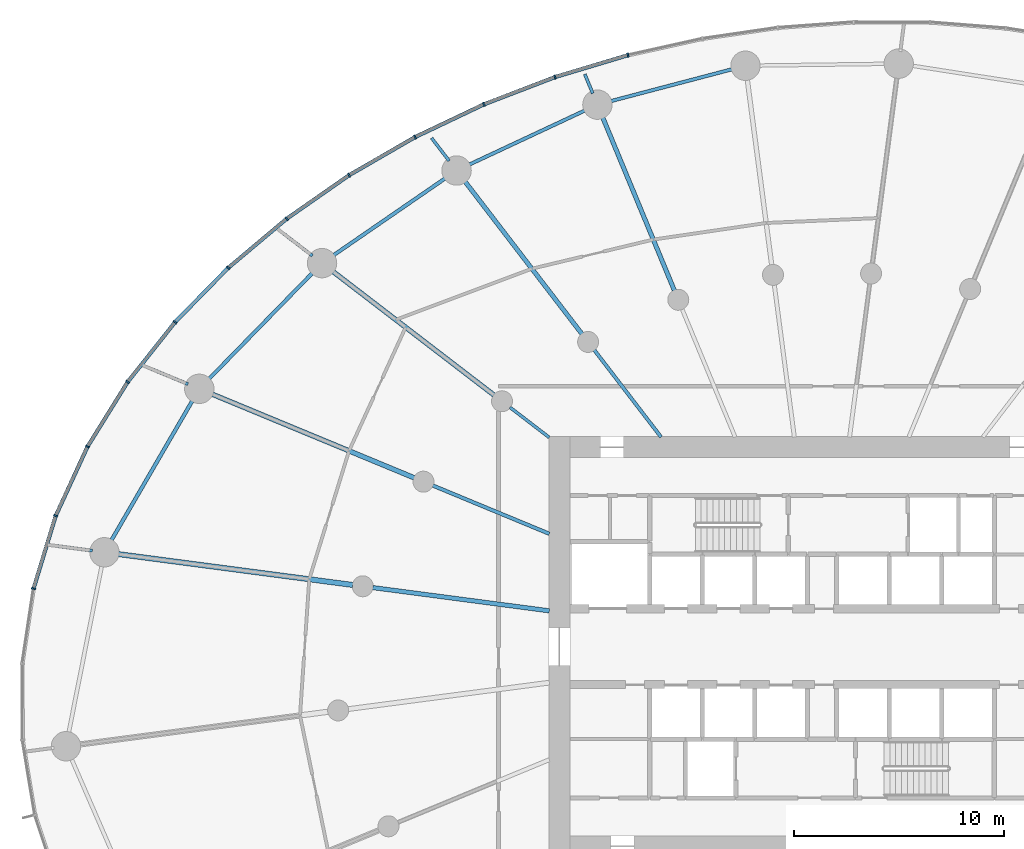
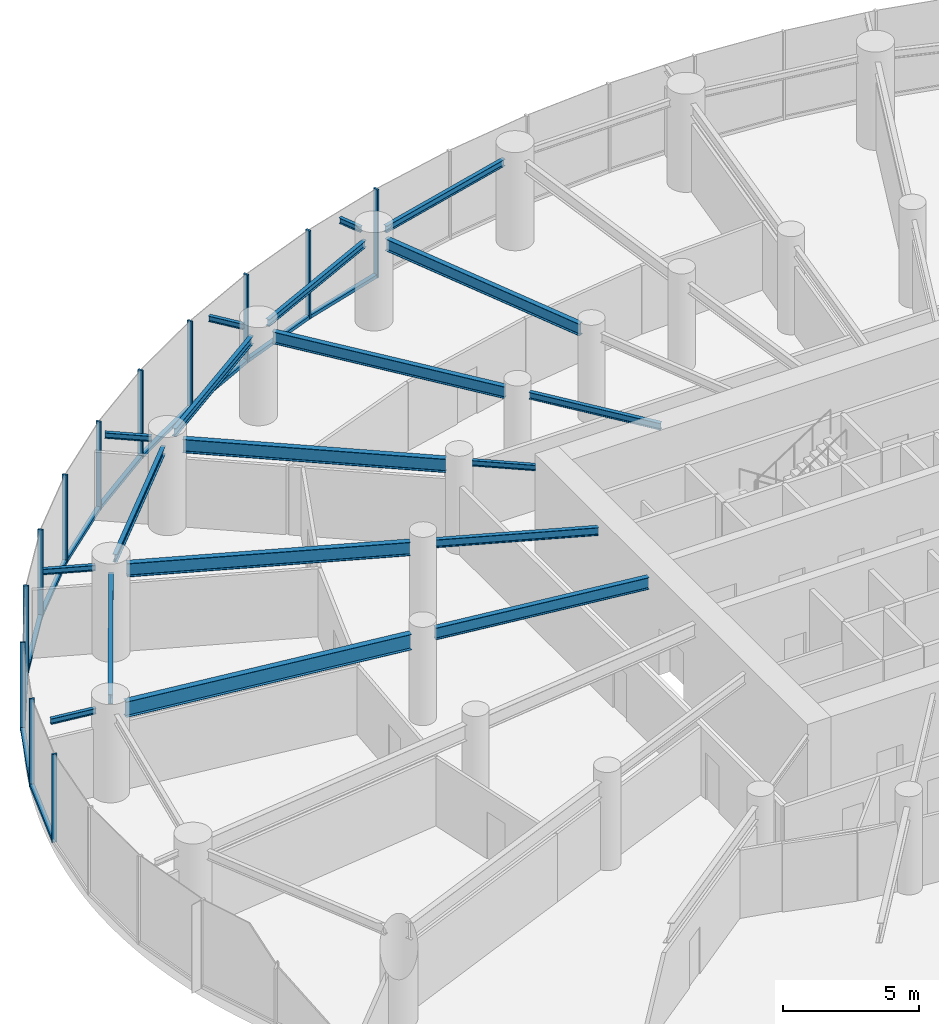
# One storey, part 6 of 19: 23 members, 19 beams, 3 elements without a shape of their own.
"""IFC4 building model written with IfcOpenShell, lengths in metres."""

import ifcopenshell
import ifcopenshell.guid

model = None  # the IFC model being written
_history = None  # IfcOwnerHistory: only IFC2X3 demands one
_inside = {}  # id of a spatial element -> (the spatial element, [elements in it])
_under = {}  # id of a project, library or spatial element -> (it, [spatial elements below it])
_declared = {}  # id of a project -> (the project, [libraries it declares])
_typed = {}  # id of a type object -> (the type object, [elements of that type])
_made_of = {}  # id of a material, layer set ... -> (it, [elements and type objects made of it])


def new_model(schema):
    """Start an empty IFC model of exactly this schema.

    Asked for "IFC4X3", IfcOpenShell would pick the latest addendum, in which some entities
    have other attributes; the version numbers below select the first issue.
    IFC2X3 requires an IfcOwnerHistory on every rooted entity: one is made here for all.
    """
    global model, _history
    if schema == "IFC4X3":
        model = ifcopenshell.file(schema_version=(4, 3, 0, 0))
    else:
        model = ifcopenshell.file(schema=schema)
    _inside.clear()
    _under.clear()
    _declared.clear()
    _typed.clear()
    _made_of.clear()
    _history = None
    if model.schema == "IFC2X3":
        org = make("IfcOrganization", Name="unknown")
        user = make(
            "IfcPersonAndOrganization",
            ThePerson=make("IfcPerson", FamilyName="unknown"),
            TheOrganization=org,
        )
        app = make(
            "IfcApplication",
            ApplicationDeveloper=org,
            Version="unknown",
            ApplicationFullName="unknown",
            ApplicationIdentifier="unknown",
        )
        _history = make(
            "IfcOwnerHistory",
            OwningUser=user,
            OwningApplication=app,
            ChangeAction="ADDED",
            CreationDate=0,
        )
    return model


def make(cls, **values):
    """One entity of the class cls with the attributes given. An attribute that is None is left unset."""
    return model.create_entity(
        cls, **{name: value for name, value in values.items() if value is not None}
    )


def rooted(cls, **values):
    """An entity with a GlobalId (a new one), such as an element, a storey or a relation."""
    return make(cls, GlobalId=ifcopenshell.guid.new(), OwnerHistory=_history, **values)


def si_unit(unit_type, name, prefix=None):
    """IfcSIUnit, for example si_unit("LENGTHUNIT", "METRE", prefix="MILLI")."""
    return make("IfcSIUnit", UnitType=unit_type, Prefix=prefix, Name=name)


def assignment(units):
    """IfcUnitAssignment: the units of a project."""
    return None if units is None else make("IfcUnitAssignment", Units=units)


def point(xyz):
    """IfcCartesianPoint."""
    return None if xyz is None else make("IfcCartesianPoint", Coordinates=xyz)


def direction(xyz):
    """IfcDirection."""
    return None if xyz is None else make("IfcDirection", DirectionRatios=xyz)


def frame(location, z_axis=None, x_axis=None):
    """IfcAxis2Placement3D, a coordinate frame: its origin and axes. An axis left out is left unset."""
    return make(
        "IfcAxis2Placement3D",
        Location=point(location),
        Axis=direction(z_axis),
        RefDirection=direction(x_axis),
    )


def frame_2d(location, x_axis=None):
    """IfcAxis2Placement2D, a coordinate frame in the plane: its origin and x axis."""
    return make(
        "IfcAxis2Placement2D", Location=point(location), RefDirection=direction(x_axis)
    )


def origin():
    """The frame at (0, 0, 0) with its axes left unset."""
    return frame((0.0, 0.0, 0.0))


def origin_2d():
    """The frame at (0, 0) in the plane with its x axis left unset."""
    return frame_2d((0.0, 0.0))


def place(relative_to, where):
    """IfcLocalPlacement: puts the frame where relative to a parent placement (None: the world)."""
    return make(
        "IfcLocalPlacement", PlacementRelTo=relative_to, RelativePlacement=where
    )


def context(
    kind, dimensions, precision=None, world=None, true_north=None, identifier=None
):
    """IfcGeometricRepresentationContext, for example the 3D "Model" context."""
    return make(
        "IfcGeometricRepresentationContext",
        ContextIdentifier=identifier,
        ContextType=kind,
        CoordinateSpaceDimension=dimensions,
        Precision=precision,
        WorldCoordinateSystem=world,
        TrueNorth=true_north,
    )


def subcontext(parent, identifier, kind, view, scale=None):
    """IfcGeometricRepresentationSubContext, for example "Body" below "Model"."""
    return make(
        "IfcGeometricRepresentationSubContext",
        ContextIdentifier=identifier,
        ContextType=kind,
        ParentContext=parent,
        TargetScale=scale,
        TargetView=view,
    )


def project(units=None, contexts=None):
    """IfcProject with its units and contexts."""
    return rooted(
        "IfcProject",
        Name="project",
        RepresentationContexts=contexts,
        UnitsInContext=assignment(units),
    )


def spatial(cls, under=None, at=None, **own):
    """A site, building, storey or space (cls), placed at a placement, below another one or the project."""
    s = rooted(cls, ObjectPlacement=at, **own)
    if under is not None:
        _under.setdefault(under.id(), (under, []))[1].append(s)
    return s


def profile(cls, at=None, kind="AREA", **sizes):
    """A parametric profile (cls). Its sizes go by their IFC names, for example OverallWidth=200.0."""
    return make(cls, ProfileType=kind, Position=at, **sizes)


def rectangle(**sizes):
    """IfcRectangleProfileDef."""
    return profile("IfcRectangleProfileDef", **sizes)


def i_section(**sizes):
    """IfcIShapeProfileDef."""
    return profile("IfcIShapeProfileDef", **sizes)


def extrude(swept, where, along, depth):
    """IfcExtrudedAreaSolid: the profile swept, set in the frame where, extruded along a direction by depth."""
    return make(
        "IfcExtrudedAreaSolid",
        SweptArea=swept,
        Position=where,
        ExtrudedDirection=direction(along),
        Depth=depth,
    )


def shape(context_of_items, identifier, shape_type, items):
    """IfcShapeRepresentation: the items that make up one representation, for example the "Body"."""
    return make(
        "IfcShapeRepresentation",
        ContextOfItems=context_of_items,
        RepresentationIdentifier=identifier,
        RepresentationType=shape_type,
        Items=items,
    )


def source(mapping_origin, context_of_items, identifier, shape_type, items):
    """IfcRepresentationMap: a shape defined once, which mapped items show again and again."""
    return make(
        "IfcRepresentationMap",
        MappingOrigin=mapping_origin,
        MappedRepresentation=shape(context_of_items, identifier, shape_type, items),
    )


def transform(
    local_origin,
    x_axis=None,
    y_axis=None,
    z_axis=None,
    scale=None,
    scale2=None,
    scale3=None,
    uniform=True,
):
    """IfcCartesianTransformationOperator3D, or its non-uniform kind. x_axis, y_axis, z_axis: its Axis1, 2, 3."""
    if uniform:
        return make(
            "IfcCartesianTransformationOperator3D",
            Axis1=direction(x_axis),
            Axis2=direction(y_axis),
            LocalOrigin=point(local_origin),
            Scale=scale,
            Axis3=direction(z_axis),
        )
    return make(
        "IfcCartesianTransformationOperator3DnonUniform",
        Axis1=direction(x_axis),
        Axis2=direction(y_axis),
        LocalOrigin=point(local_origin),
        Scale=scale,
        Axis3=direction(z_axis),
        Scale2=scale2,
        Scale3=scale3,
    )


def mapped(mapping_source, mapping_target):
    """IfcMappedItem: shows the shape of a source again, moved by a transform."""
    return make(
        "IfcMappedItem", MappingSource=mapping_source, MappingTarget=mapping_target
    )


def material(Name=None, Category=None):
    """IfcMaterial."""
    return make("IfcMaterial", Name=Name, Category=Category)


def layer(
    of_material, thickness, ventilated=None, Name=None, Category=None, Priority=None
):
    """IfcMaterialLayer: one layer of a wall or slab, of a material (None: an air gap)."""
    return make(
        "IfcMaterialLayer",
        Material=of_material,
        LayerThickness=thickness,
        IsVentilated=ventilated,
        Name=Name,
        Category=Category,
        Priority=Priority,
    )


def layer_set(layers, Name=None):
    """IfcMaterialLayerSet."""
    return make("IfcMaterialLayerSet", MaterialLayers=layers, LayerSetName=Name)


def material_profile(
    of_material, cross_section, Name=None, Category=None, Priority=None
):
    """IfcMaterialProfile: a cross section and its material."""
    return make(
        "IfcMaterialProfile",
        Name=Name,
        Material=of_material,
        Profile=cross_section,
        Priority=Priority,
        Category=Category,
    )


def profile_set(profiles, Name=None, composite=None):
    """IfcMaterialProfileSet."""
    return make(
        "IfcMaterialProfileSet",
        Name=Name,
        MaterialProfiles=profiles,
        CompositeProfile=composite,
    )


def made_of(thing, what):
    """Note that an element or type object is made of a material, layer set ...; save() writes the relation."""
    if what is not None:
        _made_of.setdefault(what.id(), (what, []))[1].append(thing)
    return thing


def type_object(cls, material=None, **own):
    """A type object (cls), such as IfcWallType, which elements share."""
    return made_of(rooted(cls, **own), material)


def element(
    cls,
    number,
    at=None,
    inside=None,
    cuts=None,
    type_object=None,
    material=None,
    context=None,
    identifier="Body",
    shape_type=None,
    held_by="IfcProductDefinitionShape",
    body=None,
    shapes=None,
    **own,
):
    """One element of the class cls, such as IfcWall. Its Tag is "e" and its number.

    at: its placement. inside: the storey or other place that contains it. cuts: it is an
    opening in that element (IfcRelVoidsElement). A single representation is given by context,
    identifier, shape_type and body (its items); several are given by shapes. held_by: the class
    of the entity that holds the representations. save() writes the other relations.
    """
    e = rooted(cls, Tag="e%d" % number, ObjectPlacement=at, **own)
    if body is not None:
        shapes = [shape(context, identifier, shape_type, body)]
    if shapes is not None:
        e.Representation = make(held_by, Representations=shapes)
    if inside is not None:
        _inside.setdefault(inside.id(), (inside, []))[1].append(e)
    if cuts is not None:
        rooted(
            "IfcRelVoidsElement", RelatingBuildingElement=cuts, RelatedOpeningElement=e
        )
    if type_object is not None:
        _typed.setdefault(type_object.id(), (type_object, []))[1].append(e)
    return made_of(e, material)


def aggregate(whole, parts):
    """IfcRelAggregates: a whole, such as a stair, and the parts it consists of."""
    return rooted("IfcRelAggregates", RelatingObject=whole, RelatedObjects=parts)


def save(model, path):
    """Write the relations noted so far, then the file.

    IfcRelAggregates (storeys below a building ...), IfcRelContainedInSpatialStructure (elements
    in a storey), IfcRelDefinesByType, IfcRelAssociatesMaterial and IfcRelDeclares: one each for
    every whole, place, type object, material and project.
    """
    for whole, parts in _under.values():
        aggregate(whole, parts)
    for where, things in _inside.values():
        rooted(
            "IfcRelContainedInSpatialStructure",
            RelatedElements=things,
            RelatingStructure=where,
        )
    for kind, things in _typed.values():
        rooted("IfcRelDefinesByType", RelatedObjects=things, RelatingType=kind)
    for what, things in _made_of.values():
        rooted("IfcRelAssociatesMaterial", RelatedObjects=things, RelatingMaterial=what)
    for by, libraries in _declared.values():
        rooted("IfcRelDeclares", RelatingContext=by, RelatedDefinitions=libraries)
    model.write(path)


model = new_model("IFC4")

# Units and contexts
model_context = context("Model", 3, precision=1e-05, world=origin(), true_north=direction((0.0, 1.0)))
body_context = subcontext(model_context, "Body", "Model", "MODEL_VIEW")
ifc_project = project(units=[si_unit("LENGTHUNIT", "METRE"), si_unit("AREAUNIT", "SQUARE_METRE"), si_unit("VOLUMEUNIT", "CUBIC_METRE"), si_unit("PLANEANGLEUNIT", "RADIAN"), si_unit("MASSUNIT", "GRAM", prefix="KILO")], contexts=[model_context])

# Site, building, storey
site_placement = place(None, origin())
site = spatial("IfcSite", under=ifc_project, at=site_placement, CompositionType="ELEMENT")
building_placement = place(site_placement, origin())
building = spatial("IfcBuilding", under=site, at=building_placement, Name="Spindrift Exchange Tower", CompositionType="ELEMENT")
storey_placement = place(building_placement, frame((0.0, 0.0, 53.39990234375)))
storey = spatial("IfcBuildingStorey", under=building, at=storey_placement, Name="L12", CompositionType="ELEMENT", Elevation=53.39990234375)

# Beams
ifc_material_1 = material(Name="Steel Grade 300", Category="steel")
ifc_material_profile_1 = material_profile(ifc_material_1, i_section(OverallWidth=0.208984375, OverallDepth=0.532958984375, WebThickness=0.01025390625, FlangeThickness=0.015625, FilletRadius=0.013916015625, at=origin_2d()), Name="530UB92.4")
ifc_profile_set_1 = profile_set([ifc_material_profile_1], Name="Steel Grade 300")
beam_type_1 = type_object("IfcBeamType", Name="Floor Beam 530UB92.4 Steel Grade 300", PredefinedType="BEAM", material=ifc_profile_set_1)
shared_shape_1 = source(origin(), body_context, "Body", "SweptSolid", [
    extrude(i_section(OverallWidth=0.208984375, OverallDepth=0.532958984375, WebThickness=0.01025390625, FlangeThickness=0.015625, FilletRadius=0.013916015625, at=origin_2d()), origin(), (0.0, 0.0, 1.0), 8.99658203125),
])
beam_1_placement = place(storey_placement, frame((44.974609375, 64.9609375, 3.68359375), z_axis=(-0.382685731718, 0.923878580085, 0.0), x_axis=(-0.923878580085, -0.382685731718, 0.0)))
element("IfcBeam", 1, at=beam_1_placement, inside=storey, type_object=beam_type_1, Name="L12 radial beam R08B", PredefinedType="BEAM", context=body_context, shape_type="MappedRepresentation", body=[
    mapped(shared_shape_1, transform((0.0, 0.0, 0.0), scale=1.0)),
])
ifc_material_profile_2 = material_profile(ifc_material_1, i_section(OverallWidth=0.1650390625, OverallDepth=0.303955078125, WebThickness=0.006103515625, FlangeThickness=0.01025390625, FilletRadius=0.011474609375, at=origin_2d()), Name="310UB40.4")
ifc_profile_set_2 = profile_set([ifc_material_profile_2], Name="Steel Grade 300")
beam_type_2 = type_object("IfcBeamType", Name="Floor Beam 310UB40.4 Steel Grade 300", PredefinedType="BEAM", material=ifc_profile_set_2)
shared_shape_2 = source(origin(), body_context, "Body", "SweptSolid", [
    extrude(i_section(OverallWidth=0.1650390625, OverallDepth=0.303955078125, WebThickness=0.006103515625, FlangeThickness=0.01025390625, FilletRadius=0.011474609375, at=origin_2d()), origin(), (0.0, 0.0, 1.0), 5.224609375),
])
beam_2_placement = place(storey_placement, frame((44.3388671875, 57.984130859375, 3.798095703125), z_axis=(-0.608741499316, 0.793368632485, 0.0), x_axis=(-0.793368632485, -0.608741499316, 0.0)))
element("IfcBeam", 2, at=beam_2_placement, inside=storey, type_object=beam_type_2, Name="L12 radial beam R09A", PredefinedType="BEAM", context=body_context, shape_type="MappedRepresentation", body=[
    mapped(shared_shape_2, transform((0.0, 0.0, 0.0), scale=1.0)),
])
shared_shape_3 = source(origin(), body_context, "Body", "SweptSolid", [
    extrude(i_section(OverallWidth=0.208984375, OverallDepth=0.532958984375, WebThickness=0.01025390625, FlangeThickness=0.015625, FilletRadius=0.013916015625, at=origin_2d()), origin(), (0.0, 0.0, 1.0), 9.227783203125),
])
beam_3_placement = place(storey_placement, frame((40.573974609375, 62.890625, 3.68359375), z_axis=(-0.608747534474, 0.79336400175, 0.0), x_axis=(-0.79336400175, -0.608747534474, 0.0)))
element("IfcBeam", 3, at=beam_3_placement, inside=storey, type_object=beam_type_1, Name="L12 radial beam R09B", PredefinedType="BEAM", context=body_context, shape_type="MappedRepresentation", body=[
    mapped(shared_shape_3, transform((0.0, 0.0, 0.0), scale=1.0)),
])
ifc_material_profile_3 = material_profile(ifc_material_1, i_section(OverallWidth=0.14599609375, OverallDepth=0.251953125, WebThickness=0.006103515625, FlangeThickness=0.008544921875, FilletRadius=0.011962890625, at=origin_2d()), Name="250UB31.4")
ifc_profile_set_3 = profile_set([ifc_material_profile_3], Name="Steel Grade 300")
beam_type_3 = type_object("IfcBeamType", Name="Floor Beam 250UB31.4 Steel Grade 300", PredefinedType="BEAM", material=ifc_profile_set_3)
shared_shape_4 = source(origin(), body_context, "Body", "SweptSolid", [
    extrude(i_section(OverallWidth=0.14599609375, OverallDepth=0.251953125, WebThickness=0.006103515625, FlangeThickness=0.008544921875, FilletRadius=0.011962890625, at=origin_2d()), origin(), (0.0, 0.0, 1.0), 2.353759765625),
])
beam_4_placement = place(storey_placement, frame((39.015869140625, 57.963134765625, 3.82421875), z_axis=(-0.793367573265, 0.608742879787, 0.0), x_axis=(-0.608742879787, -0.793367573265, 0.0)))
element("IfcBeam", 4, at=beam_4_placement, inside=storey, type_object=beam_type_3, Name="L12 radial beam R10A", PredefinedType="BEAM", context=body_context, shape_type="MappedRepresentation", body=[
    mapped(shared_shape_4, transform((0.0, 0.0, 0.0), scale=1.0)),
])
ifc_material_profile_4 = material_profile(ifc_material_1, i_section(OverallWidth=0.22802734375, OverallDepth=0.60693359375, WebThickness=0.01123046875, FlangeThickness=0.017333984375, FilletRadius=0.013916015625, at=origin_2d()), Name="610UB113")
ifc_profile_set_4 = profile_set([ifc_material_profile_4], Name="Steel Grade 300")
beam_type_4 = type_object("IfcBeamType", Name="Floor Beam 610UB113 Steel Grade 300", PredefinedType="BEAM", material=ifc_profile_set_4)
shared_shape_5 = source(origin(), body_context, "Body", "SweptSolid", [
    extrude(i_section(OverallWidth=0.22802734375, OverallDepth=0.60693359375, WebThickness=0.01123046875, FlangeThickness=0.017333984375, FilletRadius=0.013916015625, at=origin_2d()), origin(), (0.0, 0.0, 1.0), 9.73974609375),
])
beam_5_placement = place(storey_placement, frame((36.38671875, 59.98046875, 3.646484375), z_axis=(-0.793352119621, 0.608763019814, 0.0), x_axis=(-0.608763019814, -0.793352119621, 0.0)))
element("IfcBeam", 5, at=beam_5_placement, inside=storey, type_object=beam_type_4, Name="L12 radial beam R10B", PredefinedType="BEAM", context=body_context, shape_type="MappedRepresentation", body=[
    mapped(shared_shape_5, transform((0.0, 0.0, 0.0), scale=1.0)),
])
ifc_material_profile_5 = material_profile(ifc_material_1, i_section(OverallWidth=0.172119140625, OverallDepth=0.35888671875, WebThickness=0.008056640625, FlangeThickness=0.012939453125, FilletRadius=0.013916015625, at=origin_2d()), Name="360UB56.7")
ifc_profile_set_5 = profile_set([ifc_material_profile_5], Name="Steel Grade 300")
beam_type_5 = type_object("IfcBeamType", Name="Floor Beam 360UB56.7 Steel Grade 300", PredefinedType="BEAM", material=ifc_profile_set_5)
shared_shape_6 = source(origin(), body_context, "Body", "SweptSolid", [
    extrude(i_section(OverallWidth=0.172119140625, OverallDepth=0.35888671875, WebThickness=0.008056640625, FlangeThickness=0.012939453125, FilletRadius=0.013916015625, at=origin_2d()), origin(), (0.0, 0.0, 1.0), 6.004638671875),
])
beam_6_placement = place(storey_placement, frame((39.0185546875, 53.377197265625, 3.7705078125), z_axis=(-0.923882044911, 0.38267736684, 0.0), x_axis=(-0.38267736684, -0.923882044911, 0.0)))
element("IfcBeam", 6, at=beam_6_placement, inside=storey, type_object=beam_type_5, Name="L12 radial beam R11A", PredefinedType="BEAM", context=body_context, shape_type="MappedRepresentation", body=[
    mapped(shared_shape_6, transform((0.0, 0.0, 0.0), scale=1.0)),
])
shared_shape_7 = source(origin(), body_context, "Body", "SweptSolid", [
    extrude(i_section(OverallWidth=0.22802734375, OverallDepth=0.60693359375, WebThickness=0.01123046875, FlangeThickness=0.017333984375, FilletRadius=0.013916015625, at=origin_2d()), origin(), (0.0, 0.0, 1.0), 10.4912109375),
])
beam_7_placement = place(storey_placement, frame((32.583984375, 56.04248046875, 3.646484375), z_axis=(-0.923885231151, 0.382669674342, 0.0), x_axis=(-0.382669674342, -0.923885231151, 0.0)))
element("IfcBeam", 7, at=beam_7_placement, inside=storey, type_object=beam_type_4, Name="L12 radial beam R11B", PredefinedType="BEAM", context=body_context, shape_type="MappedRepresentation", body=[
    mapped(shared_shape_7, transform((0.0, 0.0, 0.0), scale=1.0)),
])
shared_shape_8 = source(origin(), body_context, "Body", "SweptSolid", [
    extrude(i_section(OverallWidth=0.208984375, OverallDepth=0.532958984375, WebThickness=0.01025390625, FlangeThickness=0.015625, FilletRadius=0.013916015625, at=origin_2d()), origin(), (0.0, 0.0, 1.0), 8.4794921875),
])
beam_8_placement = place(storey_placement, frame((39.019775390625, 49.708984375, 3.68359375), z_axis=(-0.991446551951, 0.13051335037, 0.0), x_axis=(-0.13051335037, -0.991446551951, 0.0)))
element("IfcBeam", 8, at=beam_8_placement, inside=storey, type_object=beam_type_1, Name="L12 radial beam R12A", PredefinedType="BEAM", context=body_context, shape_type="MappedRepresentation", body=[
    mapped(shared_shape_8, transform((0.0, 0.0, 0.0), scale=1.0)),
])
ifc_material_profile_6 = material_profile(ifc_material_1, i_section(OverallWidth=0.25, OverallDepth=0.699951171875, WebThickness=0.008056640625, FlangeThickness=0.011962890625, at=origin_2d()), Name="700WB115")
ifc_profile_set_6 = profile_set([ifc_material_profile_6], Name="Steel Grade 300")
beam_type_6 = type_object("IfcBeamType", Name="Floor Beam 700WB115 Steel Grade 300", PredefinedType="BEAM", material=ifc_profile_set_6)
shared_shape_9 = source(origin(), body_context, "Body", "SweptSolid", [
    extrude(i_section(OverallWidth=0.25, OverallDepth=0.699951171875, WebThickness=0.008056640625, FlangeThickness=0.011962890625, at=origin_2d()), origin(), (0.0, 0.0, 1.0), 11.34423828125),
])
beam_9_placement = place(storey_placement, frame((29.660888671875, 50.94091796875, 3.60009765625), z_axis=(-0.991444770187, 0.130526884848, 0.0), x_axis=(-0.130526884848, -0.991444770187, 0.0)))
element("IfcBeam", 9, at=beam_9_placement, inside=storey, type_object=beam_type_6, Name="L12 radial beam R12B", PredefinedType="BEAM", context=body_context, shape_type="MappedRepresentation", body=[
    mapped(shared_shape_9, transform((0.0, 0.0, 0.0), scale=1.0)),
])
ifc_material_profile_7 = material_profile(ifc_material_1, i_section(OverallWidth=0.1650390625, OverallDepth=0.303955078125, WebThickness=0.006103515625, FlangeThickness=0.01025390625, FilletRadius=0.011474609375, at=origin_2d()), Name="310UB40.4")
ifc_profile_set_7 = profile_set([ifc_material_profile_7], Name="Steel Grade 300")
beam_type_7 = type_object("IfcBeamType", Name="Edge Beam 310UB40.4 Steel Grade 300", PredefinedType="SPANDREL", material=ifc_profile_set_7)
shared_shape_10 = source(origin(), body_context, "Body", "SweptSolid", [
    extrude(i_section(OverallWidth=0.1650390625, OverallDepth=0.303955078125, WebThickness=0.006103515625, FlangeThickness=0.01025390625, FilletRadius=0.011474609375, at=origin_2d()), origin(), (0.0, 0.0, 1.0), 6.128173828125),
])
beam_10_placement = place(storey_placement, frame((47.79736328125, 75.513916015625, 3.798095703125), z_axis=(-0.967147261855, -0.254216785216, 0.0), x_axis=(0.254216785216, -0.967147261855, 0.0)))
element("IfcBeam", 10, at=beam_10_placement, inside=storey, type_object=beam_type_7, Name="L12 edge beam E07", PredefinedType="SPANDREL", context=body_context, shape_type="MappedRepresentation", body=[
    mapped(shared_shape_10, transform((0.0, 0.0, 0.0), scale=1.0)),
])
shared_shape_11 = source(origin(), body_context, "Body", "SweptSolid", [
    extrude(i_section(OverallWidth=0.1650390625, OverallDepth=0.303955078125, WebThickness=0.006103515625, FlangeThickness=0.01025390625, FilletRadius=0.011474609375, at=origin_2d()), origin(), (0.0, 0.0, 1.0), 6.243408203125),
])
beam_11_placement = place(storey_placement, frame((40.7841796875, 73.56298828125, 3.798095703125), z_axis=(-0.905791146607, -0.423724437257, 0.0), x_axis=(0.423724437257, -0.905791146607, 0.0)))
element("IfcBeam", 11, at=beam_11_placement, inside=storey, type_object=beam_type_7, Name="L12 edge beam E08", PredefinedType="SPANDREL", context=body_context, shape_type="MappedRepresentation", body=[
    mapped(shared_shape_11, transform((0.0, 0.0, 0.0), scale=1.0)),
])
ifc_material_profile_8 = material_profile(ifc_material_1, i_section(OverallWidth=0.172119140625, OverallDepth=0.35888671875, WebThickness=0.008056640625, FlangeThickness=0.012939453125, FilletRadius=0.013916015625, at=origin_2d()), Name="360UB56.7")
ifc_profile_set_8 = profile_set([ifc_material_profile_8], Name="Steel Grade 300")
beam_type_8 = type_object("IfcBeamType", Name="Edge Beam 360UB56.7 Steel Grade 300", PredefinedType="SPANDREL", material=ifc_profile_set_8)
shared_shape_12 = source(origin(), body_context, "Body", "SweptSolid", [
    extrude(i_section(OverallWidth=0.172119140625, OverallDepth=0.35888671875, WebThickness=0.008056640625, FlangeThickness=0.012939453125, FilletRadius=0.013916015625, at=origin_2d()), origin(), (0.0, 0.0, 1.0), 6.614990234375),
])
beam_12_placement = place(storey_placement, frame((34.125732421875, 70.3427734375, 3.7705078125), z_axis=(-0.823690708835, -0.567039342708, 0.0), x_axis=(0.567039342708, -0.823690708835, 0.0)))
element("IfcBeam", 12, at=beam_12_placement, inside=storey, type_object=beam_type_8, Name="L12 edge beam E09", PredefinedType="SPANDREL", context=body_context, shape_type="MappedRepresentation", body=[
    mapped(shared_shape_12, transform((0.0, 0.0, 0.0), scale=1.0)),
])
shared_shape_13 = source(origin(), body_context, "Body", "SweptSolid", [
    extrude(i_section(OverallWidth=0.172119140625, OverallDepth=0.35888671875, WebThickness=0.008056640625, FlangeThickness=0.012939453125, FilletRadius=0.013916015625, at=origin_2d()), origin(), (0.0, 0.0, 1.0), 7.2041015625),
])
beam_13_placement = place(storey_placement, frame((27.794189453125, 65.847900390625, 3.7705078125), z_axis=(-0.698703626006, -0.715411240481, 0.0), x_axis=(0.715411240481, -0.698703626006, 0.0)))
element("IfcBeam", 13, at=beam_13_placement, inside=storey, type_object=beam_type_8, Name="L12 edge beam E10", PredefinedType="SPANDREL", context=body_context, shape_type="MappedRepresentation", body=[
    mapped(shared_shape_13, transform((0.0, 0.0, 0.0), scale=1.0)),
])
ifc_material_profile_9 = material_profile(ifc_material_1, i_section(OverallWidth=0.177978515625, OverallDepth=0.406005859375, WebThickness=0.0078125, FlangeThickness=0.0126953125, FilletRadius=0.013916015625, at=origin_2d()), Name="410UB59.7")
ifc_profile_set_9 = profile_set([ifc_material_profile_9], Name="Steel Grade 300")
beam_type_9 = type_object("IfcBeamType", Name="Edge Beam 410UB59.7 Steel Grade 300", PredefinedType="SPANDREL", material=ifc_profile_set_9)
shared_shape_14 = source(origin(), body_context, "Body", "SweptSolid", [
    extrude(i_section(OverallWidth=0.177978515625, OverallDepth=0.406005859375, WebThickness=0.0078125, FlangeThickness=0.0126953125, FilletRadius=0.013916015625, at=origin_2d()), origin(), (0.0, 0.0, 1.0), 7.837646484375),
])
beam_14_placement = place(storey_placement, frame((22.064208984375, 59.777587890625, 3.7470703125), z_axis=(-0.50198145655, -0.864878382942, 0.0), x_axis=(0.864878382942, -0.50198145655, 0.0)))
element("IfcBeam", 14, at=beam_14_placement, inside=storey, type_object=beam_type_9, Name="L12 edge beam E11", PredefinedType="SPANDREL", context=body_context, shape_type="MappedRepresentation", body=[
    mapped(shared_shape_14, transform((0.0, 0.0, 0.0), scale=1.0)),
])
ifc_material_profile_10 = material_profile(ifc_material_1, i_section(OverallWidth=0.14599609375, OverallDepth=0.251953125, WebThickness=0.006103515625, FlangeThickness=0.008544921875, FilletRadius=0.011962890625, at=origin_2d()), Name="250UB31.4")
ifc_profile_set_10 = profile_set([ifc_material_profile_10], Name="Steel Grade 300")
beam_type_10 = type_object("IfcBeamType", Name="Cantilever Beam 250UB31.4 Steel Grade 300", PredefinedType="BEAM", material=ifc_profile_set_10)
shared_shape_15 = source(origin(), body_context, "Body", "SweptSolid", [
    extrude(i_section(OverallWidth=0.14599609375, OverallDepth=0.251953125, WebThickness=0.006103515625, FlangeThickness=0.008544921875, FilletRadius=0.011962890625, at=origin_2d()), origin(), (0.0, 0.0, 1.0), 0.98974609375),
])
beam_15_placement = place(storey_placement, frame((41.087890625, 74.344482421875, 3.82421875), z_axis=(-0.382845596714, 0.923812345164, 0.0), x_axis=(-0.923812345164, -0.382845596714, 0.0)))
element("IfcBeam", 15, at=beam_15_placement, inside=storey, type_object=beam_type_10, Name="L12 cantilever beam R08T", PredefinedType="BEAM", context=body_context, shape_type="MappedRepresentation", body=[
    mapped(shared_shape_15, transform((0.0, 0.0, 0.0), scale=1.0)),
])
shared_shape_16 = source(origin(), body_context, "Body", "SweptSolid", [
    extrude(i_section(OverallWidth=0.14599609375, OverallDepth=0.251953125, WebThickness=0.006103515625, FlangeThickness=0.008544921875, FilletRadius=0.011962890625, at=origin_2d()), origin(), (0.0, 0.0, 1.0), 1.373046875),
])
beam_16_placement = place(storey_placement, frame((34.250244140625, 71.1318359375, 3.82421875), z_axis=(-0.608782353337, 0.793337284051, 0.0), x_axis=(-0.793337284051, -0.608782353337, 0.0)))
element("IfcBeam", 16, at=beam_16_placement, inside=storey, type_object=beam_type_10, Name="L12 cantilever beam R09T", PredefinedType="BEAM", context=body_context, shape_type="MappedRepresentation", body=[
    mapped(shared_shape_16, transform((0.0, 0.0, 0.0), scale=1.0)),
])
shared_shape_17 = source(origin(), body_context, "Body", "SweptSolid", [
    extrude(i_section(OverallWidth=0.14599609375, OverallDepth=0.251953125, WebThickness=0.006103515625, FlangeThickness=0.008544921875, FilletRadius=0.011962890625, at=origin_2d()), origin(), (0.0, 0.0, 1.0), 1.7275390625),
])
beam_17_placement = place(storey_placement, frame((27.7392578125, 66.615966796875, 3.82421875), z_axis=(-0.793406147217, 0.608692603502, 0.0), x_axis=(-0.608692603502, -0.793406147217, 0.0)))
element("IfcBeam", 17, at=beam_17_placement, inside=storey, type_object=beam_type_10, Name="L12 cantilever beam R10T", PredefinedType="BEAM", context=body_context, shape_type="MappedRepresentation", body=[
    mapped(shared_shape_17, transform((0.0, 0.0, 0.0), scale=1.0)),
])
shared_shape_18 = source(origin(), body_context, "Body", "SweptSolid", [
    extrude(i_section(OverallWidth=0.14599609375, OverallDepth=0.251953125, WebThickness=0.006103515625, FlangeThickness=0.008544921875, FilletRadius=0.011962890625, at=origin_2d()), origin(), (0.0, 0.0, 1.0), 1.935302734375),
])
beam_18_placement = place(storey_placement, frame((21.819580078125, 60.501220703125, 3.82421875), z_axis=(-0.923910755402, 0.382608044939, 0.0), x_axis=(-0.382608044939, -0.923910755402, 0.0)))
element("IfcBeam", 18, at=beam_18_placement, inside=storey, type_object=beam_type_10, Name="L12 cantilever beam R11T", PredefinedType="BEAM", context=body_context, shape_type="MappedRepresentation", body=[
    mapped(shared_shape_18, transform((0.0, 0.0, 0.0), scale=1.0)),
])
shared_shape_19 = source(origin(), body_context, "Body", "SweptSolid", [
    extrude(i_section(OverallWidth=0.14599609375, OverallDepth=0.251953125, WebThickness=0.006103515625, FlangeThickness=0.008544921875, FilletRadius=0.011962890625, at=origin_2d()), origin(), (0.0, 0.0, 1.0), 1.79541015625),
])
beam_19_placement = place(storey_placement, frame((17.263916015625, 52.572998046875, 3.82421875), z_axis=(-0.9914427207, 0.130542451224, 0.0), x_axis=(-0.130542451224, -0.9914427207, 0.0)))
element("IfcBeam", 19, at=beam_19_placement, inside=storey, type_object=beam_type_10, Name="L12 cantilever beam R12T", PredefinedType="BEAM", context=body_context, shape_type="MappedRepresentation", body=[
    mapped(shared_shape_19, transform((0.0, 0.0, 0.0), scale=1.0)),
])

# Curtain wall, member
ifc_material_2 = material(Name="Fritted laminated glass with bronze frame", Category="glass")
ifc_layer = layer(ifc_material_2, 0.199951171875)
ifc_layer_set = layer_set([ifc_layer], Name="ZONE 1 BRONZE FRITTED WALL")
curtain_wall_type = type_object("IfcCurtainWallType", Name="ZONE 1 BRONZE FRITTED WALL", PredefinedType="NOTDEFINED", material=ifc_layer_set)
curtain_wall_1_placement = place(storey_placement, origin())
curtain_wall_1 = element("IfcCurtainWall", 20, at=curtain_wall_1_placement, inside=storey, type_object=curtain_wall_type, Name="L12 Zone 1 Bronze Fritted Wall run 5", PredefinedType="NOTDEFINED")
ifc_material_3 = material(Name="Bronze anodised aluminium", Category="aluminium")
ifc_material_profile_11 = material_profile(ifc_material_3, rectangle(XDim=0.179931640625, YDim=0.14990234375, at=origin_2d()), Name="ZONE 1 BRONZE FRITTED WALL TRANSOM 180X150")
ifc_profile_set_11 = profile_set([ifc_material_profile_11], Name="Bronze anodised aluminium")
member_type_1 = type_object("IfcMemberType", Name="ZONE 1 BRONZE FRITTED WALL TRANSOM 180X150", PredefinedType="USERDEFINED", material=ifc_profile_set_11)
shared_shape_20 = source(origin(), body_context, "Body", "SweptSolid", [
    extrude(rectangle(XDim=0.179931640625, YDim=0.14990234375, at=origin_2d()), origin(), (0.0, 0.0, 1.0), 3.545654296875),
])
member_1_placement = place(storey_placement, frame((17.01611328125, 57.49462890625, 0.0751953125), z_axis=(-0.417948798308, -0.908470584, 0.0), x_axis=(0.908470584, -0.417948798308, 0.0)))
member_1 = element("IfcMember", 21, at=member_1_placement, type_object=member_type_1, Name="L12 transom CW-1.26", ObjectType="TRANSOM", PredefinedType="USERDEFINED", context=body_context, shape_type="MappedRepresentation", body=[
    mapped(shared_shape_20, transform((0.0, 0.0, 0.0), scale=1.0)),
])

# Curtain wall, members
curtain_wall_2_placement = place(storey_placement, origin())
curtain_wall_2 = element("IfcCurtainWall", 22, at=curtain_wall_2_placement, inside=storey, type_object=curtain_wall_type, Name="L12 Zone 1 Bronze Fritted Wall run 3", PredefinedType="NOTDEFINED")
shared_shape_21 = source(origin(), body_context, "Body", "SweptSolid", [
    extrude(rectangle(XDim=0.179931640625, YDim=0.14990234375, at=origin_2d()), origin(), (0.0, 0.0, 1.0), 3.54736328125),
])
member_2_placement = place(storey_placement, frame((42.72705078125, 76.15478515625, 0.0751953125), z_axis=(-0.957809235644, -0.287404711364, 0.0), x_axis=(0.287404711364, -0.957809235644, 0.0)))
member_2 = element("IfcMember", 23, at=member_2_placement, type_object=member_type_1, Name="L12 transom CW-1.17", ObjectType="TRANSOM", PredefinedType="USERDEFINED", context=body_context, shape_type="MappedRepresentation", body=[
    mapped(shared_shape_21, transform((0.0, 0.0, 0.0), scale=1.0)),
])
member_3_placement = place(storey_placement, frame((39.253662109375, 75.109375, 0.0751953125), z_axis=(-0.933606113088, -0.358301026519, 0.0), x_axis=(0.358301026519, -0.933606113088, 0.0)))
member_3 = element("IfcMember", 24, at=member_3_placement, type_object=member_type_1, Name="L12 transom CW-1.18", ObjectType="TRANSOM", PredefinedType="USERDEFINED", context=body_context, shape_type="MappedRepresentation", body=[
    mapped(shared_shape_21, transform((0.0, 0.0, 0.0), scale=1.0)),
])

curtain_wall_3_placement = place(storey_placement, origin())
curtain_wall_3 = element("IfcCurtainWall", 25, at=curtain_wall_3_placement, inside=storey, type_object=curtain_wall_type, Name="L12 Zone 1 Bronze Fritted Wall run 4", PredefinedType="NOTDEFINED")
member_4_placement = place(storey_placement, frame((35.868408203125, 73.806884765625, 0.0751953125), z_axis=(-0.903182124679, -0.429257556323, 0.0), x_axis=(0.429257556323, -0.903182124679, 0.0)))
member_4 = element("IfcMember", 26, at=member_4_placement, type_object=member_type_1, Name="L12 transom CW-1.19", ObjectType="TRANSOM", PredefinedType="USERDEFINED", context=body_context, shape_type="MappedRepresentation", body=[
    mapped(shared_shape_21, transform((0.0, 0.0, 0.0), scale=1.0)),
])
shared_shape_22 = source(origin(), body_context, "Body", "SweptSolid", [
    extrude(rectangle(XDim=0.179931640625, YDim=0.14990234375, at=origin_2d()), origin(), (0.0, 0.0, 1.0), 3.547119140625),
])
member_5_placement = place(storey_placement, frame((32.59375, 72.2470703125, 0.0751953125), z_axis=(-0.865771641321, -0.500439272124, 0.0), x_axis=(0.500439272124, -0.865771641321, 0.0)))
member_5 = element("IfcMember", 27, at=member_5_placement, type_object=member_type_1, Name="L12 transom CW-1.20", ObjectType="TRANSOM", PredefinedType="USERDEFINED", context=body_context, shape_type="MappedRepresentation", body=[
    mapped(shared_shape_22, transform((0.0, 0.0, 0.0), scale=1.0)),
])
member_6_placement = place(storey_placement, frame((29.455078125, 70.42919921875, 0.0751953125), z_axis=(-0.820316949205, -0.571909173599, 0.0), x_axis=(0.571909173599, -0.820316949205, 0.0)))
member_6 = element("IfcMember", 28, at=member_6_placement, type_object=member_type_1, Name="L12 transom CW-1.21", ObjectType="TRANSOM", PredefinedType="USERDEFINED", context=body_context, shape_type="MappedRepresentation", body=[
    mapped(shared_shape_22, transform((0.0, 0.0, 0.0), scale=1.0)),
])
member_7_placement = place(storey_placement, frame((26.48193359375, 68.35205078125, 0.0751953125), z_axis=(-0.765517715264, -0.643414817685, 0.0), x_axis=(0.643414817685, -0.765517715264, 0.0)))
member_7 = element("IfcMember", 29, at=member_7_placement, type_object=member_type_1, Name="L12 transom CW-1.22", ObjectType="TRANSOM", PredefinedType="USERDEFINED", context=body_context, shape_type="MappedRepresentation", body=[
    mapped(shared_shape_22, transform((0.0, 0.0, 0.0), scale=1.0)),
])
shared_shape_23 = source(origin(), body_context, "Body", "SweptSolid", [
    extrude(rectangle(XDim=0.179931640625, YDim=0.14990234375, at=origin_2d()), origin(), (0.0, 0.0, 1.0), 3.54638671875),
])
member_8_placement = place(storey_placement, frame((21.173583984375, 63.421875, 0.0751953125), z_axis=(-0.621078446608, -0.783748405523, 0.0), x_axis=(0.783748405523, -0.621078446608, 0.0)))
member_8 = element("IfcMember", 30, at=member_8_placement, type_object=member_type_1, Name="L12 transom CW-1.24", ObjectType="TRANSOM", PredefinedType="USERDEFINED", context=body_context, shape_type="MappedRepresentation", body=[
    mapped(shared_shape_23, transform((0.0, 0.0, 0.0), scale=1.0)),
])

# Member
shared_shape_24 = source(origin(), body_context, "Body", "SweptSolid", [
    extrude(rectangle(XDim=0.179931640625, YDim=0.14990234375, at=origin_2d()), origin(), (0.0, 0.0, 1.0), 3.545166015625),
])
member_9_placement = place(storey_placement, frame((15.505859375, 54.19873046875, 0.0751953125), z_axis=(-0.291306852414, -0.95662966593, 0.0), x_axis=(0.95662966593, -0.291306852414, 0.0)))
member_9 = element("IfcMember", 31, at=member_9_placement, type_object=member_type_1, Name="L12 transom CW-1.27", ObjectType="TRANSOM", PredefinedType="USERDEFINED", context=body_context, shape_type="MappedRepresentation", body=[
    mapped(shared_shape_24, transform((0.0, 0.0, 0.0), scale=1.0)),
])

shared_shape_25 = source(origin(), body_context, "Body", "SweptSolid", [
    extrude(rectangle(XDim=0.179931640625, YDim=0.14990234375, at=origin_2d()), origin(), (0.0, 0.0, 1.0), 3.546630859375),
])
member_10_placement = place(storey_placement, frame((23.7080078125, 66.015625, 0.0751953125), z_axis=(-0.699667988496, -0.714468127962, 0.0), x_axis=(0.714468127962, -0.699667988496, 0.0)))
member_10 = element("IfcMember", 32, at=member_10_placement, type_object=member_type_1, Name="L12 transom CW-1.23", ObjectType="TRANSOM", PredefinedType="USERDEFINED", context=body_context, shape_type="MappedRepresentation", body=[
    mapped(shared_shape_25, transform((0.0, 0.0, 0.0), scale=1.0)),
])

shared_shape_26 = source(origin(), body_context, "Body", "SweptSolid", [
    extrude(rectangle(XDim=0.179931640625, YDim=0.14990234375, at=origin_2d()), origin(), (0.0, 0.0, 1.0), 3.5458984375),
])
member_11_placement = place(storey_placement, frame((18.925048828125, 60.576904296875, 0.0751953125), z_axis=(-0.527688470569, -0.849437977741, 0.0), x_axis=(0.849437977741, -0.527688470569, 0.0)))
member_11 = element("IfcMember", 33, at=member_11_placement, type_object=member_type_1, Name="L12 transom CW-1.25", ObjectType="TRANSOM", PredefinedType="USERDEFINED", context=body_context, shape_type="MappedRepresentation", body=[
    mapped(shared_shape_26, transform((0.0, 0.0, 0.0), scale=1.0)),
])

ifc_material_profile_12 = material_profile(ifc_material_3, rectangle(XDim=0.080078125, YDim=0.199951171875, at=origin_2d()), Name="ZONE 1 BRONZE FRITTED WALL MULLION 80X200")
ifc_profile_set_12 = profile_set([ifc_material_profile_12], Name="Bronze anodised aluminium")
member_type_2 = type_object("IfcMemberType", Name="ZONE 1 BRONZE FRITTED WALL MULLION 80X200", PredefinedType="MULLION", material=ifc_profile_set_12)
shared_shape_27 = source(origin(), body_context, "Body", "SweptSolid", [
    extrude(rectangle(XDim=0.080078125, YDim=0.199951171875, at=origin_2d()), origin(), (0.0, 0.0, 1.0), 3.9501953125),
])
member_12_placement = place(storey_placement, frame((42.765380859375, 76.16650390625, 0.0), z_axis=(0.0, 0.0, 1.0), x_axis=(-0.967707686411, -0.252075055611, 0.0)))
member_12 = element("IfcMember", 34, at=member_12_placement, type_object=member_type_2, Name="L12 mullion CW-1.17", PredefinedType="MULLION", context=body_context, shape_type="MappedRepresentation", body=[
    mapped(shared_shape_27, transform((0.0, 0.0, 0.0), scale=1.0)),
])

member_13_placement = place(storey_placement, frame((39.291015625, 75.123779296875, 0.0), z_axis=(0.0, 0.0, 1.0), x_axis=(-0.946362936676, -0.323105543261, 0.0)))
member_13 = element("IfcMember", 35, at=member_13_placement, type_object=member_type_2, Name="L12 mullion CW-1.18", PredefinedType="MULLION", context=body_context, shape_type="MappedRepresentation", body=[
    mapped(shared_shape_27, transform((0.0, 0.0, 0.0), scale=1.0)),
])

aggregate(curtain_wall_2, [member_12, member_2, member_13, member_3])

member_14_placement = place(storey_placement, frame((35.904541015625, 73.823974609375, 0.0), z_axis=(0.0, 0.0, 1.0), x_axis=(-0.919087174323, -0.394054267829, 0.0)))
member_14 = element("IfcMember", 36, at=member_14_placement, type_object=member_type_2, Name="L12 mullion CW-1.19", PredefinedType="MULLION", context=body_context, shape_type="MappedRepresentation", body=[
    mapped(shared_shape_27, transform((0.0, 0.0, 0.0), scale=1.0)),
])

member_15_placement = place(storey_placement, frame((32.62841796875, 72.26708984375, 0.0), z_axis=(0.0, 0.0, 1.0), x_axis=(-0.885211059092, -0.465189618179, 0.0)))
member_15 = element("IfcMember", 37, at=member_15_placement, type_object=member_type_2, Name="L12 mullion CW-1.20", PredefinedType="MULLION", context=body_context, shape_type="MappedRepresentation", body=[
    mapped(shared_shape_27, transform((0.0, 0.0, 0.0), scale=1.0)),
])

member_16_placement = place(storey_placement, frame((29.488037109375, 70.451904296875, 0.0), z_axis=(0.0, 0.0, 1.0), x_axis=(-0.843821629879, -0.536623757346, 0.0)))
member_16 = element("IfcMember", 38, at=member_16_placement, type_object=member_type_2, Name="L12 mullion CW-1.21", PredefinedType="MULLION", context=body_context, shape_type="MappedRepresentation", body=[
    mapped(shared_shape_27, transform((0.0, 0.0, 0.0), scale=1.0)),
])

member_17_placement = place(storey_placement, frame((26.5126953125, 68.377685546875, 0.0), z_axis=(0.0, 0.0, 1.0), x_axis=(-0.793738591104, -0.608259031163, 0.0)))
member_17 = element("IfcMember", 39, at=member_17_placement, type_object=member_type_2, Name="L12 mullion CW-1.22", PredefinedType="MULLION", context=body_context, shape_type="MappedRepresentation", body=[
    mapped(shared_shape_27, transform((0.0, 0.0, 0.0), scale=1.0)),
])

member_18_placement = place(storey_placement, frame((23.736083984375, 66.044189453125, 0.0), z_axis=(0.0, 0.0, 1.0), x_axis=(-0.733474727986, -0.679716722911, 0.0)))
member_18 = element("IfcMember", 40, at=member_18_placement, type_object=member_type_2, Name="L12 mullion CW-1.23", PredefinedType="MULLION", context=body_context, shape_type="MappedRepresentation", body=[
    mapped(shared_shape_27, transform((0.0, 0.0, 0.0), scale=1.0)),
])

member_19_placement = place(storey_placement, frame((21.198486328125, 63.453125, 0.0), z_axis=(0.0, 0.0, 1.0), x_axis=(-0.661302008539, -0.75011975944, 0.0)))
member_19 = element("IfcMember", 41, at=member_19_placement, type_object=member_type_2, Name="L12 mullion CW-1.24", PredefinedType="MULLION", context=body_context, shape_type="MappedRepresentation", body=[
    mapped(shared_shape_27, transform((0.0, 0.0, 0.0), scale=1.0)),
])

aggregate(curtain_wall_3, [member_14, member_4, member_15, member_5, member_16, member_6, member_17, member_7, member_18, member_10, member_19, member_8])

member_20_placement = place(storey_placement, frame((18.9462890625, 60.611083984375, 0.0), z_axis=(0.0, 0.0, 1.0), x_axis=(-0.575320498731, -0.817928067583, 0.0)))
member_20 = element("IfcMember", 42, at=member_20_placement, type_object=member_type_2, Name="L12 mullion CW-1.25", PredefinedType="MULLION", context=body_context, shape_type="MappedRepresentation", body=[
    mapped(shared_shape_27, transform((0.0, 0.0, 0.0), scale=1.0)),
])

member_21_placement = place(storey_placement, frame((17.03271484375, 57.531005859375, 0.0), z_axis=(0.0, 0.0, 1.0), x_axis=(-0.473732609561, -0.880668731498, 0.0)))
member_21 = element("IfcMember", 43, at=member_21_placement, type_object=member_type_2, Name="L12 mullion CW-1.26", PredefinedType="MULLION", context=body_context, shape_type="MappedRepresentation", body=[
    mapped(shared_shape_27, transform((0.0, 0.0, 0.0), scale=1.0)),
])

member_22_placement = place(storey_placement, frame((15.517578125, 54.237060546875, 0.0), z_axis=(0.0, 0.0, 1.0), x_axis=(-0.355433372721, -0.934701619532, 0.0)))
member_22 = element("IfcMember", 44, at=member_22_placement, type_object=member_type_2, Name="L12 mullion CW-1.27", PredefinedType="MULLION", context=body_context, shape_type="MappedRepresentation", body=[
    mapped(shared_shape_27, transform((0.0, 0.0, 0.0), scale=1.0)),
])

member_23_placement = place(storey_placement, frame((14.46142578125, 50.76904296875, 0.0), z_axis=(0.0, 0.0, 1.0), x_axis=(-0.220776018113, -0.975324535642, 0.0)))
member_23 = element("IfcMember", 45, at=member_23_placement, type_object=member_type_2, Name="L12 mullion CW-1.28", PredefinedType="MULLION", context=body_context, shape_type="MappedRepresentation", body=[
    mapped(shared_shape_27, transform((0.0, 0.0, 0.0), scale=1.0)),
])

aggregate(curtain_wall_1, [member_20, member_11, member_21, member_1, member_22, member_9, member_23])

save(model, "model.ifc")
